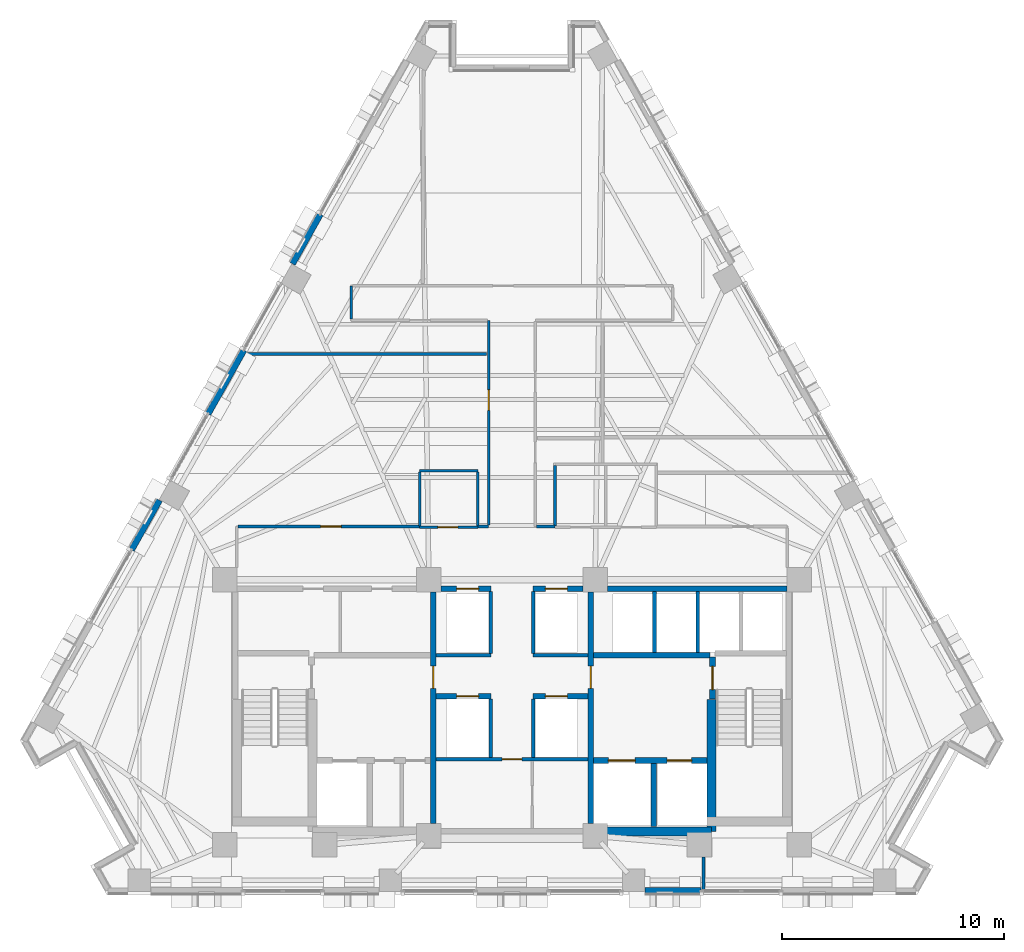
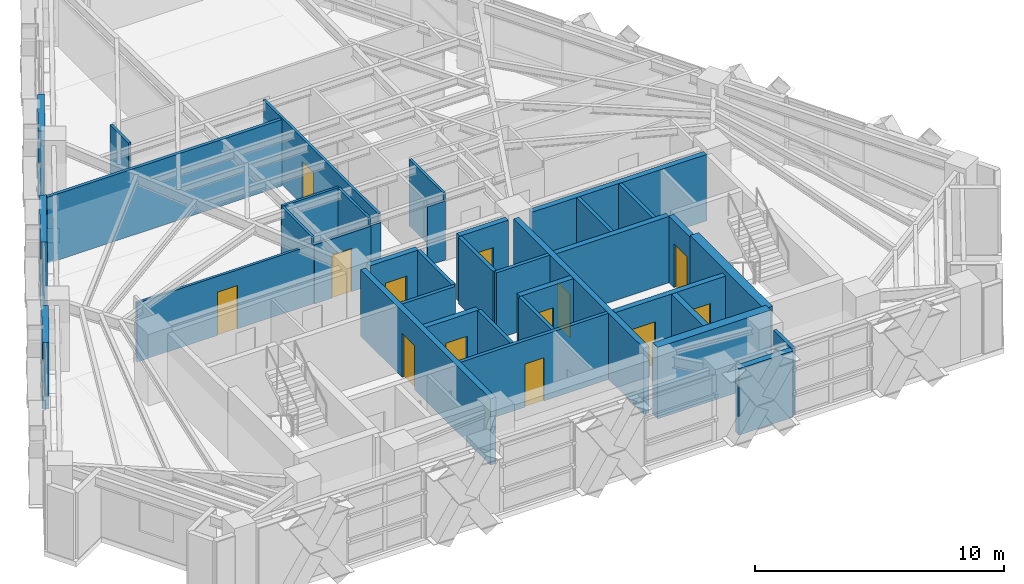
# One storey, part 8 of 14: 38 walls, 13 doors, 13 openings.
"""IFC4 building model written with IfcOpenShell, lengths in metres."""

from ifc_helpers import new_model, si_unit, direction, frame, frame_2d, origin, place, context, subcontext, project, spatial, rectangle, extrude, material, layer, layer_set, type_object, element, fill, save


model = new_model("IFC4")

# Units and contexts
model_context = context("Model", 3, precision=1e-05, world=origin(), true_north=direction((0.0, 1.0)))
body_context = subcontext(model_context, "Body", "Model", "MODEL_VIEW")
ifc_project = project(units=[si_unit("LENGTHUNIT", "METRE"), si_unit("AREAUNIT", "SQUARE_METRE"), si_unit("VOLUMEUNIT", "CUBIC_METRE"), si_unit("PLANEANGLEUNIT", "RADIAN"), si_unit("MASSUNIT", "GRAM", prefix="KILO")], contexts=[model_context])

# Site, building, storey
site_placement = place(None, origin())
site = spatial("IfcSite", under=ifc_project, at=site_placement, CompositionType="ELEMENT")
building_placement = place(site_placement, origin())
building = spatial("IfcBuilding", under=site, at=building_placement, Name="Quenlor Broadcast Tower", CompositionType="ELEMENT")
storey_placement = place(building_placement, frame((0.0, 0.0, 165.0)))
storey = spatial("IfcBuildingStorey", under=building, at=storey_placement, Name="L45", CompositionType="ELEMENT", Elevation=165.0)

# Walls
ifc_material_1 = material(Name="Acoustic Double Stud Gypsum Partition", Category="other")
ifc_layer_1 = layer(ifc_material_1, 0.14990234375)
ifc_layer_set_1 = layer_set([ifc_layer_1], Name="Broadcast Studio Acoustic Partition 150")
wall_type_1 = type_object("IfcWallType", Name="Broadcast Studio Acoustic Partition 150", PredefinedType="PARTITIONING", material=ifc_layer_set_1)
wall_1_placement = place(storey_placement, frame((-1.159912109375, 5.3798828125, 0.0), z_axis=(0.0, 0.0, 1.0), x_axis=(-1.0, 0.0, 0.0)))
element("IfcWall", 1, at=wall_1_placement, inside=storey, type_object=wall_type_1, Name="L45 Interior Wall PW-DV-02", PredefinedType="PARTITIONING", context=body_context, shape_type="SweptSolid", body=[
    extrude(rectangle(XDim=10.862548828125, YDim=0.14990234375, at=frame_2d((5.43115234375, 0.0))), origin(), (0.0, 0.0, 1.0), 3.25),
])
wall_2_placement = place(storey_placement, frame((8.634521484375, -18.830078125, 0.0), z_axis=(0.0, 0.0, 1.0), x_axis=(0.0, 1.0, 0.0)))
element("IfcWall", 2, at=wall_2_placement, inside=storey, type_object=wall_type_1, Name="L45 Interior Wall PW-DV-07", PredefinedType="PARTITIONING", context=body_context, shape_type="SweptSolid", body=[
    extrude(rectangle(XDim=1.528076171875, YDim=0.14990234375, at=frame_2d((0.76416015625, 0.0))), origin(), (0.0, 0.0, 1.0), 3.25),
])
ifc_material_2 = material(Name="Concrete C50/60", Category="concrete")
ifc_layer_2 = layer(ifc_material_2, 0.39990234375)
ifc_layer_set_2 = layer_set([ifc_layer_2], Name="Core Concrete C50/60 Shear Wall 400")
wall_type_2 = type_object("IfcWallType", Name="Core Concrete C50/60 Shear Wall 400", PredefinedType="SHEAR", material=ifc_layer_set_2)
wall_3_placement = place(storey_placement, frame((3.75, -16.14990234375, 0.0), z_axis=(0.0, 0.0, 1.0), x_axis=(1.0, 0.0, 0.0)))
element("IfcWall", 3, at=wall_3_placement, inside=storey, type_object=wall_type_2, Name="L45 Core Shear Wall WS-E1", PredefinedType="SHEAR", context=body_context, shape_type="SweptSolid", body=[
    extrude(rectangle(XDim=5.25, YDim=0.39990234375, at=frame_2d((2.625, 0.0))), origin(), (0.0, 0.0, 1.0), 3.5),
])
wall_4_placement = place(storey_placement, frame((9.0, -16.14990234375, 0.0), z_axis=(0.0, 0.0, 1.0), x_axis=(0.0, 1.0, 0.0)))
element("IfcWall", 4, at=wall_4_placement, inside=storey, type_object=wall_type_2, Name="L45 Core Shear Wall WI-E", PredefinedType="SHEAR", context=body_context, shape_type="SweptSolid", body=[
    extrude(rectangle(XDim=5.949951171875, YDim=0.39990234375, at=frame_2d((2.97509765625, 0.0))), origin(), (0.0, 0.0, 1.0), 3.5),
])

# Wall, opening, door
ifc_material_3 = material(Name="Concrete C40/50", Category="concrete")
ifc_layer_3 = layer(ifc_material_3, 0.25)
ifc_layer_set_3 = layer_set([ifc_layer_3], Name="Fire Rated Concrete C40/50 Core Wall 250")
wall_type_3 = type_object("IfcWallType", Name="Fire Rated Concrete C40/50 Core Wall 250", PredefinedType="PARTITIONING", material=ifc_layer_set_3)
wall_5_placement = place(storey_placement, frame((9.0400390625, -10.179931640625, 0.0), z_axis=(0.0, 0.0, 1.0), x_axis=(0.0, 1.0, 0.0)))
wall_5 = element("IfcWall", 5, at=wall_5_placement, inside=storey, type_object=wall_type_3, Name="L45 Interior Wall CW-ST2-DR", PredefinedType="PARTITIONING", context=body_context, shape_type="SweptSolid", body=[
    extrude(rectangle(XDim=1.89990234375, YDim=0.25, at=frame_2d((0.949951171875, 0.0))), origin(), (0.0, 0.0, 1.0), 3.25),
])
opening_1_placement = place(wall_5_placement, frame((0.419921875, 0.0, 0.0)))
opening_1 = element("IfcOpeningElement", 6, at=opening_1_placement, cuts=wall_5, Name="Opening FD-1", PredefinedType="OPENING", context=body_context, shape_type="SweptSolid", body=[
    extrude(rectangle(XDim=1.050048828125, YDim=2.14990234375, at=frame_2d((0.52490234375, 1.074951171875))), frame((0.0, 0.135009765625, 0.0), z_axis=(0.0, -1.0, 0.0), x_axis=(1.0, 0.0, 0.0)), (0.0, 0.0, 1.0), 0.27001953125),
])
ifc_material_4 = material(Name="Fire Rated Steel Door Leaf", Category="steel")
door_type_1 = type_object("IfcDoorType", Name="Fire Isolated Stair Door 1050x2150", OperationType="NOTDEFINED", PredefinedType="DOOR", material=ifc_material_4)
door_1_placement = place(opening_1_placement, origin())
door_1 = element("IfcDoor", 7, at=door_1_placement, inside=storey, type_object=door_type_1, Name="L45 Door DR-ST2", OperationType="SINGLE_SWING_RIGHT", OverallHeight=2.14990234375, OverallWidth=1.050048828125, PredefinedType="DOOR", context=body_context, shape_type="SweptSolid", body=[
    extrude(rectangle(XDim=1.050048828125, YDim=2.14990234375, at=frame_2d((0.52490234375, 1.074951171875))), frame((0.0, 0.02490234375, 0.0), z_axis=(0.0, -1.0, 0.0), x_axis=(1.0, 0.0, 0.0)), (0.0, 0.0, 1.0), 0.050048828125),
])
fill(opening_1, door_1)

# Wall, openings, doors
wall_6_placement = place(storey_placement, frame((3.679931640625, -12.949951171875, 0.0), z_axis=(0.0, 0.0, 1.0), x_axis=(1.0, 0.0, 0.0)))
wall_6 = element("IfcWall", 8, at=wall_6_placement, inside=storey, type_object=wall_type_3, Name="L45 Interior Wall CW-FFE-S", PredefinedType="PARTITIONING", context=body_context, shape_type="SweptSolid", body=[
    extrude(rectangle(XDim=5.1181640625, YDim=0.25, at=frame_2d((2.55908203125, 0.0))), origin(), (0.0, 0.0, 1.0), 3.25),
])
opening_2_placement = place(wall_6_placement, frame((3.320068359375, 0.0, 0.0)))
opening_2 = element("IfcOpeningElement", 9, at=opening_2_placement, cuts=wall_6, Name="Opening LD-FFL-2", PredefinedType="OPENING", context=body_context, shape_type="SweptSolid", body=[
    extrude(rectangle(XDim=1.10009765625, YDim=2.14990234375, at=frame_2d((0.550048828125, 1.074951171875))), frame((0.0, 0.135009765625, 0.0), z_axis=(0.0, -1.0, 0.0), x_axis=(1.0, 0.0, 0.0)), (0.0, 0.0, 1.0), 0.27001953125),
])
opening_3_placement = place(wall_6_placement, frame((0.669921875, 0.0, 0.0)))
opening_3 = element("IfcOpeningElement", 10, at=opening_3_placement, cuts=wall_6, Name="Opening LD-SVL-1", PredefinedType="OPENING", context=body_context, shape_type="SweptSolid", body=[
    extrude(rectangle(XDim=1.199951171875, YDim=2.14990234375, at=frame_2d((0.60009765625, 1.074951171875))), frame((0.0, 0.135009765625, 0.0), z_axis=(0.0, -1.0, 0.0), x_axis=(1.0, 0.0, 0.0)), (0.0, 0.0, 1.0), 0.27001953125),
])
ifc_material_5 = material(Name="Brushed Stainless Steel", Category="steel")
door_type_2 = type_object("IfcDoorType", Name="Emergency Lift Sliding Landing Door 1100x2150", OperationType="NOTDEFINED", PredefinedType="DOOR", material=ifc_material_5)
door_2_placement = place(opening_2_placement, origin())
door_2 = element("IfcDoor", 11, at=door_2_placement, inside=storey, type_object=door_type_2, Name="L45 Door LD-FFL-2", OperationType="SLIDING_TO_RIGHT", OverallHeight=2.14990234375, OverallWidth=1.10009765625, PredefinedType="DOOR", context=body_context, shape_type="SweptSolid", body=[
    extrude(rectangle(XDim=1.10009765625, YDim=2.14990234375, at=frame_2d((0.550048828125, 1.074951171875))), frame((0.0, 0.02490234375, 0.0), z_axis=(0.0, -1.0, 0.0), x_axis=(1.0, 0.0, 0.0)), (0.0, 0.0, 1.0), 0.050048828125),
])
fill(opening_2, door_2)
ifc_material_6 = material(Name="Brushed Stainless Steel", Category="steel")
door_type_3 = type_object("IfcDoorType", Name="Goods Lift Sliding Landing Door 1200x2150", OperationType="NOTDEFINED", PredefinedType="DOOR", material=ifc_material_6)
door_3_placement = place(opening_3_placement, origin())
door_3 = element("IfcDoor", 12, at=door_3_placement, inside=storey, type_object=door_type_3, Name="L45 Door LD-SVL-1", OperationType="SLIDING_TO_LEFT", OverallHeight=2.14990234375, OverallWidth=1.199951171875, PredefinedType="DOOR", context=body_context, shape_type="SweptSolid", body=[
    extrude(rectangle(XDim=1.199951171875, YDim=2.14990234375, at=frame_2d((0.60009765625, 1.074951171875))), frame((0.0, 0.02490234375, 0.0), z_axis=(0.0, -1.0, 0.0), x_axis=(1.0, 0.0, 0.0)), (0.0, 0.0, 1.0), 0.050048828125),
])
fill(opening_3, door_3)

# Walls
wall_7_placement = place(storey_placement, frame((6.39990234375, -15.919921875, 0.0), z_axis=(0.0, 0.0, 1.0), x_axis=(0.0, 1.0, 0.0)))
element("IfcWall", 13, at=wall_7_placement, inside=storey, type_object=wall_type_3, Name="L45 Interior Wall CW-SV1-E", PredefinedType="PARTITIONING", context=body_context, shape_type="SweptSolid", body=[
    extrude(rectangle(XDim=2.829833984375, YDim=0.25, at=frame_2d((1.4150390625, 0.0))), origin(), (0.0, 0.0, 1.0), 3.25),
])
wall_8_placement = place(storey_placement, frame((3.679931640625, -8.199951171875, 0.0), z_axis=(0.0, 0.0, 1.0), x_axis=(1.0, 0.0, 0.0)))
element("IfcWall", 14, at=wall_8_placement, inside=storey, type_object=wall_type_3, Name="L45 Interior Wall CW-FFE-N", PredefinedType="PARTITIONING", context=body_context, shape_type="SweptSolid", body=[
    extrude(rectangle(XDim=5.239990234375, YDim=0.25, at=frame_2d((2.6201171875, 0.0))), origin(), (0.0, 0.0, 1.0), 3.25),
])

# Wall, opening, door
wall_9_placement = place(storey_placement, frame((-3.550048828125, -15.798095703125, 0.0), z_axis=(0.0, 0.0, 1.0), x_axis=(0.0, 1.0, 0.0)))
wall_9 = element("IfcWall", 15, at=wall_9_placement, inside=storey, type_object=wall_type_3, Name="L45 Interior Wall CW-FFW-E", PredefinedType="PARTITIONING", context=body_context, shape_type="SweptSolid", body=[
    extrude(rectangle(XDim=10.446044921875, YDim=0.25, at=frame_2d((5.22314453125, 0.0))), origin(), (0.0, 0.0, 1.0), 3.25),
])
opening_4_placement = place(wall_9_placement, frame((6.097900390625, 0.0, 0.0)))
opening_4 = element("IfcOpeningElement", 16, at=opening_4_placement, cuts=wall_9, Name="Opening FD-2", PredefinedType="OPENING", context=body_context, shape_type="SweptSolid", body=[
    extrude(rectangle(XDim=1.0, YDim=2.14990234375, at=frame_2d((0.5, 1.074951171875))), frame((0.0, 0.135009765625, 0.0), z_axis=(0.0, -1.0, 0.0), x_axis=(1.0, 0.0, 0.0)), (0.0, 0.0, 1.0), 0.27001953125),
])
ifc_material_7 = material(Name="Fire Rated Glazed Steel Door", Category="steel")
door_type_4 = type_object("IfcDoorType", Name="Firefighting Lobby Smoke Door 1000x2150", OperationType="NOTDEFINED", PredefinedType="DOOR", material=ifc_material_7)
door_4_placement = place(opening_4_placement, origin())
door_4 = element("IfcDoor", 17, at=door_4_placement, inside=storey, type_object=door_type_4, Name="L45 Door DR-FFLW", OperationType="SINGLE_SWING_RIGHT", OverallHeight=2.14990234375, OverallWidth=1.0, PredefinedType="DOOR", context=body_context, shape_type="SweptSolid", body=[
    extrude(rectangle(XDim=1.0, YDim=2.14990234375, at=frame_2d((0.5, 1.074951171875))), frame((0.0, 0.02490234375, 0.0), z_axis=(0.0, -1.0, 0.0), x_axis=(1.0, 0.0, 0.0)), (0.0, 0.0, 1.0), 0.050048828125),
])
fill(opening_4, door_4)

wall_10_placement = place(storey_placement, frame((3.550048828125, -15.798095703125, 0.0), z_axis=(0.0, 0.0, 1.0), x_axis=(0.0, 1.0, 0.0)))
wall_10 = element("IfcWall", 18, at=wall_10_placement, inside=storey, type_object=wall_type_3, Name="L45 Interior Wall CW-FFE-W", PredefinedType="PARTITIONING", context=body_context, shape_type="SweptSolid", body=[
    extrude(rectangle(XDim=10.446044921875, YDim=0.25, at=frame_2d((5.22314453125, 0.0))), origin(), (0.0, 0.0, 1.0), 3.25),
])
opening_5_placement = place(wall_10_placement, frame((6.097900390625, 0.0, 0.0)))
opening_5 = element("IfcOpeningElement", 19, at=opening_5_placement, cuts=wall_10, Name="Opening FD-2", PredefinedType="OPENING", context=body_context, shape_type="SweptSolid", body=[
    extrude(rectangle(XDim=1.0, YDim=2.14990234375, at=frame_2d((0.5, 1.074951171875))), frame((0.0, 0.135009765625, 0.0), z_axis=(0.0, -1.0, 0.0), x_axis=(1.0, 0.0, 0.0)), (0.0, 0.0, 1.0), 0.27001953125),
])
door_5_placement = place(opening_5_placement, origin())
door_5 = element("IfcDoor", 20, at=door_5_placement, inside=storey, type_object=door_type_4, Name="L45 Door DR-FFLE", OperationType="SINGLE_SWING_LEFT", OverallHeight=2.14990234375, OverallWidth=1.0, PredefinedType="DOOR", context=body_context, shape_type="SweptSolid", body=[
    extrude(rectangle(XDim=1.0, YDim=2.14990234375, at=frame_2d((0.5, 1.074951171875))), frame((0.0, 0.02490234375, 0.0), z_axis=(0.0, -1.0, 0.0), x_axis=(1.0, 0.0, 0.0)), (0.0, 0.0, 1.0), 0.050048828125),
])
fill(opening_5, door_5)

# Wall
wall_11_placement = place(storey_placement, frame((4.302001953125, -5.199951171875, 0.0), z_axis=(0.0, 0.0, 1.0), x_axis=(1.0, 0.0, 0.0)))
element("IfcWall", 21, at=wall_11_placement, inside=storey, type_object=wall_type_3, Name="L45 Interior Wall CW-N-E", PredefinedType="PARTITIONING", context=body_context, shape_type="SweptSolid", body=[
    extrude(rectangle(XDim=8.095947265625, YDim=0.25, at=frame_2d((4.0478515625, 0.0))), origin(), (0.0, 0.0, 1.0), 3.25),
])

# Wall, opening, door
wall_12_placement = place(storey_placement, frame((-3.197998046875, -5.199951171875, 0.0), z_axis=(0.0, 0.0, 1.0), x_axis=(1.0, 0.0, 0.0)))
wall_12 = element("IfcWall", 22, at=wall_12_placement, inside=storey, type_object=wall_type_3, Name="L45 Interior Wall CW-N-M1", PredefinedType="PARTITIONING", context=body_context, shape_type="SweptSolid", body=[
    extrude(rectangle(XDim=2.248046875, YDim=0.25, at=frame_2d((1.1240234375, 0.0))), origin(), (0.0, 0.0, 1.0), 3.25),
])
opening_6_placement = place(wall_12_placement, frame((0.697998046875, 0.0, 0.0)))
opening_6 = element("IfcOpeningElement", 23, at=opening_6_placement, cuts=wall_12, Name="Opening LD-PL-M1", PredefinedType="OPENING", context=body_context, shape_type="SweptSolid", body=[
    extrude(rectangle(XDim=1.0, YDim=2.14990234375, at=frame_2d((0.5, 1.074951171875))), frame((0.0, 0.135009765625, 0.0), z_axis=(0.0, -1.0, 0.0), x_axis=(1.0, 0.0, 0.0)), (0.0, 0.0, 1.0), 0.27001953125),
])
ifc_material_8 = material(Name="Brushed Stainless Steel", Category="steel")
door_type_5 = type_object("IfcDoorType", Name="Passenger Lift Sliding Landing Door 1000x2150", OperationType="NOTDEFINED", PredefinedType="DOOR", material=ifc_material_8)
door_6_placement = place(opening_6_placement, origin())
door_6 = element("IfcDoor", 24, at=door_6_placement, inside=storey, type_object=door_type_5, Name="L45 Door LD-PL-M1", OperationType="SLIDING_TO_LEFT", OverallHeight=2.14990234375, OverallWidth=1.0, PredefinedType="DOOR", context=body_context, shape_type="SweptSolid", body=[
    extrude(rectangle(XDim=1.0, YDim=2.14990234375, at=frame_2d((0.5, 1.074951171875))), frame((0.0, 0.02490234375, 0.0), z_axis=(0.0, -1.0, 0.0), x_axis=(1.0, 0.0, 0.0)), (0.0, 0.0, 1.0), 0.050048828125),
])
fill(opening_6, door_6)

wall_13_placement = place(storey_placement, frame((0.949951171875, -5.199951171875, 0.0), z_axis=(0.0, 0.0, 1.0), x_axis=(1.0, 0.0, 0.0)))
wall_13 = element("IfcWall", 25, at=wall_13_placement, inside=storey, type_object=wall_type_3, Name="L45 Interior Wall CW-N-M2", PredefinedType="PARTITIONING", context=body_context, shape_type="SweptSolid", body=[
    extrude(rectangle(XDim=2.248046875, YDim=0.25, at=frame_2d((1.1240234375, 0.0))), origin(), (0.0, 0.0, 1.0), 3.25),
])
opening_7_placement = place(wall_13_placement, frame((0.550048828125, 0.0, 0.0)))
opening_7 = element("IfcOpeningElement", 26, at=opening_7_placement, cuts=wall_13, Name="Opening LD-PL-M2", PredefinedType="OPENING", context=body_context, shape_type="SweptSolid", body=[
    extrude(rectangle(XDim=1.0, YDim=2.14990234375, at=frame_2d((0.5, 1.074951171875))), frame((0.0, 0.135009765625, 0.0), z_axis=(0.0, -1.0, 0.0), x_axis=(1.0, 0.0, 0.0)), (0.0, 0.0, 1.0), 0.27001953125),
])
door_7_placement = place(opening_7_placement, origin())
door_7 = element("IfcDoor", 27, at=door_7_placement, inside=storey, type_object=door_type_5, Name="L45 Door LD-PL-M2", OperationType="SLIDING_TO_RIGHT", OverallHeight=2.14990234375, OverallWidth=1.0, PredefinedType="DOOR", context=body_context, shape_type="SweptSolid", body=[
    extrude(rectangle(XDim=1.0, YDim=2.14990234375, at=frame_2d((0.5, 1.074951171875))), frame((0.0, 0.02490234375, 0.0), z_axis=(0.0, -1.0, 0.0), x_axis=(1.0, 0.0, 0.0)), (0.0, 0.0, 1.0), 0.050048828125),
])
fill(opening_7, door_7)

wall_14_placement = place(storey_placement, frame((-3.419921875, -10.050048828125, 0.0), z_axis=(0.0, 0.0, 1.0), x_axis=(1.0, 0.0, 0.0)))
wall_14 = element("IfcWall", 28, at=wall_14_placement, inside=storey, type_object=wall_type_3, Name="L45 Interior Wall CW-MS-N1", PredefinedType="PARTITIONING", context=body_context, shape_type="SweptSolid", body=[
    extrude(rectangle(XDim=2.469970703125, YDim=0.25, at=frame_2d((1.23486328125, 0.0))), origin(), (0.0, 0.0, 1.0), 3.25),
])
opening_8_placement = place(wall_14_placement, frame((0.919921875, 0.0, 0.0)))
opening_8 = element("IfcOpeningElement", 29, at=opening_8_placement, cuts=wall_14, Name="Opening LD-PL-M3", PredefinedType="OPENING", context=body_context, shape_type="SweptSolid", body=[
    extrude(rectangle(XDim=1.0, YDim=2.14990234375, at=frame_2d((0.5, 1.074951171875))), frame((0.0, 0.135009765625, 0.0), z_axis=(0.0, -1.0, 0.0), x_axis=(1.0, 0.0, 0.0)), (0.0, 0.0, 1.0), 0.27001953125),
])
door_8_placement = place(opening_8_placement, origin())
door_8 = element("IfcDoor", 30, at=door_8_placement, inside=storey, type_object=door_type_5, Name="L45 Door LD-PL-M3", OperationType="SLIDING_TO_LEFT", OverallHeight=2.14990234375, OverallWidth=1.0, PredefinedType="DOOR", context=body_context, shape_type="SweptSolid", body=[
    extrude(rectangle(XDim=1.0, YDim=2.14990234375, at=frame_2d((0.5, 1.074951171875))), frame((0.0, 0.02490234375, 0.0), z_axis=(0.0, -1.0, 0.0), x_axis=(1.0, 0.0, 0.0)), (0.0, 0.0, 1.0), 0.050048828125),
])
fill(opening_8, door_8)

wall_15_placement = place(storey_placement, frame((0.949951171875, -10.050048828125, 0.0), z_axis=(0.0, 0.0, 1.0), x_axis=(1.0, 0.0, 0.0)))
wall_15 = element("IfcWall", 31, at=wall_15_placement, inside=storey, type_object=wall_type_3, Name="L45 Interior Wall CW-MS-N2", PredefinedType="PARTITIONING", context=body_context, shape_type="SweptSolid", body=[
    extrude(rectangle(XDim=2.469970703125, YDim=0.25, at=frame_2d((1.23486328125, 0.0))), origin(), (0.0, 0.0, 1.0), 3.25),
])
opening_9_placement = place(wall_15_placement, frame((0.550048828125, 0.0, 0.0)))
opening_9 = element("IfcOpeningElement", 32, at=opening_9_placement, cuts=wall_15, Name="Opening LD-PL-M4", PredefinedType="OPENING", context=body_context, shape_type="SweptSolid", body=[
    extrude(rectangle(XDim=1.0, YDim=2.14990234375, at=frame_2d((0.5, 1.074951171875))), frame((0.0, 0.135009765625, 0.0), z_axis=(0.0, -1.0, 0.0), x_axis=(1.0, 0.0, 0.0)), (0.0, 0.0, 1.0), 0.27001953125),
])
door_9_placement = place(opening_9_placement, origin())
door_9 = element("IfcDoor", 33, at=door_9_placement, inside=storey, type_object=door_type_5, Name="L45 Door LD-PL-M4", OperationType="SLIDING_TO_RIGHT", OverallHeight=2.14990234375, OverallWidth=1.0, PredefinedType="DOOR", context=body_context, shape_type="SweptSolid", body=[
    extrude(rectangle(XDim=1.0, YDim=2.14990234375, at=frame_2d((0.5, 1.074951171875))), frame((0.0, 0.02490234375, 0.0), z_axis=(0.0, -1.0, 0.0), x_axis=(1.0, 0.0, 0.0)), (0.0, 0.0, 1.0), 0.050048828125),
])
fill(opening_9, door_9)

# Walls
ifc_material_9 = material(Name="Gypsum Fireboard Partition", Category="other")
ifc_layer_4 = layer(ifc_material_9, 0.159912109375)
ifc_layer_set_4 = layer_set([ifc_layer_4], Name="Fire Rated Shaft and Corridor Partition 160")
wall_type_4 = type_object("IfcWallType", Name="Fire Rated Shaft and Corridor Partition 160", PredefinedType="PARTITIONING", material=ifc_layer_set_4)
for number, where, z_axis, x_axis, name in (
    (34, (6.425048828125, -8.072998046875, 0.0), (0.0, 0.0, 1.0), (0.0, 1.0, 0.0), "L45 Interior Wall CW-PLH-D1"),
    (35, (8.375, -8.072998046875, 0.0), (0.0, 0.0, 1.0), (0.0, 1.0, 0.0), "L45 Interior Wall CW-PLH-D2"),
):
    element("IfcWall", number, at=place(storey_placement, frame(where, z_axis=z_axis, x_axis=x_axis)), inside=storey, type_object=wall_type_4, Name=name, PredefinedType="PARTITIONING", context=body_context, shape_type="SweptSolid", body=[
        extrude(rectangle(XDim=2.73291015625, YDim=0.159912109375, at=frame_2d((1.366455078125, 0.0))), origin(), (0.0, 0.0, 1.0), 3.25),
    ])
for number, where, z_axis, x_axis, name in (
    (36, (-0.949951171875, -8.1201171875, 0.0), (0.0, 0.0, 1.0), (0.0, 1.0, 0.0), "L45 Interior Wall CW-CCRP-W"),
    (37, (0.949951171875, -8.1201171875, 0.0), (0.0, 0.0, 1.0), (0.0, 1.0, 0.0), "L45 Interior Wall CW-CCRP-E"),
):
    element("IfcWall", number, at=place(storey_placement, frame(where, z_axis=z_axis, x_axis=x_axis)), inside=storey, type_object=wall_type_4, Name=name, PredefinedType="PARTITIONING", context=body_context, shape_type="SweptSolid", body=[
        extrude(rectangle(XDim=2.780029296875, YDim=0.159912109375, at=frame_2d((1.39013671875, 0.0))), origin(), (0.0, 0.0, 1.0), 3.25),
    ])
for number, where, z_axis, x_axis, name in (
    (38, (-3.419921875, -8.199951171875, 0.0), (0.0, 0.0, 1.0), (1.0, 0.0, 0.0), "L45 Interior Wall CW-M-BACK1"),
    (39, (0.949951171875, -8.199951171875, 0.0), (0.0, 0.0, 1.0), (1.0, 0.0, 0.0), "L45 Interior Wall CW-M-BACK2"),
):
    element("IfcWall", number, at=place(storey_placement, frame(where, z_axis=z_axis, x_axis=x_axis)), inside=storey, type_object=wall_type_4, Name=name, PredefinedType="PARTITIONING", context=body_context, shape_type="SweptSolid", body=[
        extrude(rectangle(XDim=2.469970703125, YDim=0.159912109375, at=frame_2d((1.23486328125, 0.0))), origin(), (0.0, 0.0, 1.0), 3.25),
    ])

# Wall, opening, door
wall_16_placement = place(storey_placement, frame((-3.419921875, -12.89990234375, 0.0), z_axis=(0.0, 0.0, 1.0), x_axis=(1.0, 0.0, 0.0)))
wall_16 = element("IfcWall", 40, at=wall_16_placement, inside=storey, type_object=wall_type_4, Name="L45 Interior Wall CW-MS-B", PredefinedType="PARTITIONING", context=body_context, shape_type="SweptSolid", body=[
    extrude(rectangle(XDim=6.83984375, YDim=0.159912109375, at=frame_2d((3.419921875, 0.0))), origin(), (0.0, 0.0, 1.0), 3.25),
])
opening_10_placement = place(wall_16_placement, frame((2.97998046875, 0.0, 0.0)))
opening_10 = element("IfcOpeningElement", 41, at=opening_10_placement, cuts=wall_16, Name="Opening ID-4", PredefinedType="OPENING", context=body_context, shape_type="SweptSolid", body=[
    extrude(rectangle(XDim=0.8798828125, YDim=2.1201171875, at=frame_2d((0.43994140625, 1.06005859375))), frame((0.0, 0.08984375, 0.0), z_axis=(0.0, -1.0, 0.0), x_axis=(1.0, 0.0, 0.0)), (0.0, 0.0, 1.0), 0.179931640625),
])
ifc_material_10 = material(Name="Solid Core Timber Oak", Category="wood")
door_type_6 = type_object("IfcDoorType", Name="Service Closet Timber Door 880x2120", OperationType="NOTDEFINED", PredefinedType="DOOR", material=ifc_material_10)
door_10_placement = place(opening_10_placement, origin())
door_10 = element("IfcDoor", 42, at=door_10_placement, inside=storey, type_object=door_type_6, Name="L45 Door DR-CSV0", OperationType="SINGLE_SWING_LEFT", OverallHeight=2.1201171875, OverallWidth=0.8798828125, PredefinedType="DOOR", context=body_context, shape_type="SweptSolid", body=[
    extrude(rectangle(XDim=0.8798828125, YDim=2.1201171875, at=frame_2d((0.43994140625, 1.06005859375))), frame((0.0, 0.02490234375, 0.0), z_axis=(0.0, -1.0, 0.0), x_axis=(1.0, 0.0, 0.0)), (0.0, 0.0, 1.0), 0.050048828125),
])
fill(opening_10, door_10)

# Walls
for number, where, z_axis, x_axis, name in (
    (43, (-0.949951171875, -12.818115234375, 0.0), (0.0, 0.0, 1.0), (0.0, 1.0, 0.0), "L45 Interior Wall CW-MS-W"),
    (44, (0.949951171875, -12.818115234375, 0.0), (0.0, 0.0, 1.0), (0.0, 1.0, 0.0), "L45 Interior Wall CW-MS-E"),
):
    element("IfcWall", number, at=place(storey_placement, frame(where, z_axis=z_axis, x_axis=x_axis)), inside=storey, type_object=wall_type_4, Name=name, PredefinedType="PARTITIONING", context=body_context, shape_type="SweptSolid", body=[
        extrude(rectangle(XDim=2.63818359375, YDim=0.159912109375, at=frame_2d((1.319091796875, 0.0))), origin(), (0.0, 0.0, 1.0), 3.25),
    ])

# Wall, opening, door
ifc_material_11 = material(Name="Gypsum Plasterboard Partition", Category="other")
ifc_layer_5 = layer(ifc_material_11, 0.1201171875)
ifc_layer_set_5 = layer_set([ifc_layer_5], Name="Standard Office Partition 120")
wall_type_5 = type_object("IfcWallType", Name="Standard Office Partition 120", PredefinedType="PARTITIONING", material=ifc_layer_set_5)
wall_17_placement = place(storey_placement, frame((-4.159912109375, -2.43994140625, 0.0), z_axis=(0.0, 0.0, 1.0), x_axis=(1.0, 0.0, 0.0)))
wall_17 = element("IfcWall", 45, at=wall_17_placement, inside=storey, type_object=wall_type_5, Name="L45 Interior Wall PW-AWC-S", PredefinedType="PARTITIONING", context=body_context, shape_type="SweptSolid", body=[
    extrude(rectangle(XDim=2.619873046875, YDim=0.1201171875, at=frame_2d((1.31005859375, 0.0))), origin(), (0.0, 0.0, 1.0), 2.891357421875),
])
opening_11_placement = place(wall_17_placement, frame((0.820068359375, 0.0, 0.0)))
opening_11 = element("IfcOpeningElement", 46, at=opening_11_placement, cuts=wall_17, Name="Opening ID-3", PredefinedType="OPENING", context=body_context, shape_type="SweptSolid", body=[
    extrude(rectangle(XDim=0.89990234375, YDim=2.1201171875, at=frame_2d((0.449951171875, 1.06005859375))), frame((0.0, 0.070068359375, 0.0), z_axis=(0.0, -1.0, 0.0), x_axis=(1.0, 0.0, 0.0)), (0.0, 0.0, 1.0), 0.14013671875),
])
ifc_material_12 = material(Name="Moisture Resistant Timber Oak", Category="wood")
door_type_7 = type_object("IfcDoorType", Name="Washroom Privacy Door 900x2120", OperationType="NOTDEFINED", PredefinedType="DOOR", material=ifc_material_12)
door_11_placement = place(opening_11_placement, origin())
door_11 = element("IfcDoor", 47, at=door_11_placement, inside=storey, type_object=door_type_7, Name="L45 Door DR-AWC", OperationType="SINGLE_SWING_LEFT", OverallHeight=2.1201171875, OverallWidth=0.89990234375, PredefinedType="DOOR", context=body_context, shape_type="SweptSolid", body=[
    extrude(rectangle(XDim=0.89990234375, YDim=2.1201171875, at=frame_2d((0.449951171875, 1.06005859375))), frame((0.0, 0.02490234375, 0.0), z_axis=(0.0, -1.0, 0.0), x_axis=(1.0, 0.0, 0.0)), (0.0, 0.0, 1.0), 0.050048828125),
])
fill(opening_11, door_11)

# Walls
wall_18_placement = place(storey_placement, frame((-4.159912109375, 0.110107421875, 0.0), z_axis=(0.0, 0.0, 1.0), x_axis=(1.0, 0.0, 0.0)))
element("IfcWall", 48, at=wall_18_placement, inside=storey, type_object=wall_type_5, Name="L45 Interior Wall PW-AWC-N", PredefinedType="PARTITIONING", context=body_context, shape_type="SweptSolid", body=[
    extrude(rectangle(XDim=2.619873046875, YDim=0.1201171875, at=frame_2d((1.31005859375, 0.0))), origin(), (0.0, 0.0, 1.0), 3.25),
])
for number, where, z_axis, x_axis, name in (
    (49, (-4.159912109375, -2.3779296875, 0.0), (0.0, 0.0, 1.0), (0.0, 1.0, 0.0), "L45 Interior Wall PW-AWC-W"),
    (50, (-1.5400390625, -2.3779296875, 0.0), (0.0, 0.0, 1.0), (0.0, 1.0, 0.0), "L45 Interior Wall PW-AWC-E"),
):
    element("IfcWall", number, at=place(storey_placement, frame(where, z_axis=z_axis, x_axis=x_axis)), inside=storey, type_object=wall_type_5, Name=name, PredefinedType="PARTITIONING", context=body_context, shape_type="SweptSolid", body=[
        extrude(rectangle(XDim=2.426025390625, YDim=0.1201171875, at=frame_2d((1.212890625, 0.0))), origin(), (0.0, 0.0, 1.0), 3.25),
    ])
wall_19_placement = place(storey_placement, frame((1.93994140625, -2.3779296875, 0.0), z_axis=(0.0, 0.0, 1.0), x_axis=(0.0, 1.0, 0.0)))
element("IfcWall", 51, at=wall_19_placement, inside=storey, type_object=wall_type_5, Name="L45 Interior Wall PW-WC-W", PredefinedType="PARTITIONING", context=body_context, shape_type="SweptSolid", body=[
    extrude(rectangle(XDim=2.725830078125, YDim=0.1201171875, at=frame_2d((1.36279296875, 0.0))), origin(), (0.0, 0.0, 1.0), 3.25),
])

# Wall, opening, door
wall_20_placement = place(storey_placement, frame((-12.347900390625, -2.39990234375, 0.0), z_axis=(0.0, 0.0, 1.0), x_axis=(1.0, 0.0, 0.0)))
wall_20 = element("IfcWall", 52, at=wall_20_placement, inside=storey, type_object=wall_type_5, Name="L45 Interior Wall PW-CR-02", PredefinedType="PARTITIONING", context=body_context, shape_type="SweptSolid", body=[
    extrude(rectangle(XDim=8.185791015625, YDim=0.1201171875, at=frame_2d((4.0927734375, 0.0))), origin(), (0.0, 0.0, 1.0), 2.891357421875),
])
opening_12_placement = place(wall_20_placement, frame((3.721923828125, 0.0, 0.0)))
opening_12 = element("IfcOpeningElement", 53, at=opening_12_placement, cuts=wall_20, Name="Opening ID-1", PredefinedType="OPENING", context=body_context, shape_type="SweptSolid", body=[
    extrude(rectangle(XDim=0.919921875, YDim=2.1201171875, at=frame_2d((0.4599609375, 1.06005859375))), frame((0.0, 0.070068359375, 0.0), z_axis=(0.0, -1.0, 0.0), x_axis=(1.0, 0.0, 0.0)), (0.0, 0.0, 1.0), 0.14013671875),
])
ifc_material_13 = material(Name="Solid Core Timber Oak", Category="wood")
door_type_8 = type_object("IfcDoorType", Name="Single Leaf Timber Office Door 920x2120", OperationType="NOTDEFINED", PredefinedType="DOOR", material=ifc_material_13)
door_12_placement = place(opening_12_placement, origin())
door_12 = element("IfcDoor", 54, at=door_12_placement, inside=storey, type_object=door_type_8, Name="L45 Door DR-RM08", OperationType="SINGLE_SWING_LEFT", OverallHeight=2.1201171875, OverallWidth=0.919921875, PredefinedType="DOOR", context=body_context, shape_type="SweptSolid", body=[
    extrude(rectangle(XDim=0.919921875, YDim=2.1201171875, at=frame_2d((0.4599609375, 1.06005859375))), frame((0.0, 0.02490234375, 0.0), z_axis=(0.0, -1.0, 0.0), x_axis=(1.0, 0.0, 0.0)), (0.0, 0.0, 1.0), 0.050048828125),
])
fill(opening_12, door_12)

# Wall
wall_21_placement = place(storey_placement, frame((-1.5380859375, -2.39990234375, 0.0), z_axis=(0.0, 0.0, 1.0), x_axis=(1.0, 0.0, 0.0)))
element("IfcWall", 55, at=wall_21_placement, inside=storey, type_object=wall_type_5, Name="L45 Interior Wall PW-CR-02S2", PredefinedType="PARTITIONING", context=body_context, shape_type="SweptSolid", body=[
    extrude(rectangle(XDim=0.488037109375, YDim=0.1201171875, at=frame_2d((0.244140625, 0.0))), origin(), (0.0, 0.0, 1.0), 2.891357421875),
])

# Wall, opening, door
wall_22_placement = place(storey_placement, frame((-1.050048828125, -2.337890625, 0.0), z_axis=(0.0, 0.0, 1.0), x_axis=(0.0, 1.0, 0.0)))
wall_22 = element("IfcWall", 56, at=wall_22_placement, inside=storey, type_object=wall_type_5, Name="L45 Interior Wall PW-CR-03", PredefinedType="PARTITIONING", context=body_context, shape_type="SweptSolid", body=[
    extrude(rectangle(XDim=9.23779296875, YDim=0.1201171875, at=frame_2d((4.618896484375, 0.0))), origin(), (0.0, 0.0, 1.0), 3.25),
])
opening_13_placement = place(wall_22_placement, frame((5.177978515625, 0.0, 0.0)))
opening_13 = element("IfcOpeningElement", 57, at=opening_13_placement, cuts=wall_22, Name="Opening ID-1", PredefinedType="OPENING", context=body_context, shape_type="SweptSolid", body=[
    extrude(rectangle(XDim=0.919921875, YDim=2.1201171875, at=frame_2d((0.4599609375, 1.06005859375))), frame((0.0, 0.070068359375, 0.0), z_axis=(0.0, -1.0, 0.0), x_axis=(1.0, 0.0, 0.0)), (0.0, 0.0, 1.0), 0.14013671875),
])
door_13_placement = place(opening_13_placement, origin())
door_13 = element("IfcDoor", 58, at=door_13_placement, inside=storey, type_object=door_type_8, Name="L45 Door DR-RM05", OperationType="SINGLE_SWING_RIGHT", OverallHeight=2.1201171875, OverallWidth=0.919921875, PredefinedType="DOOR", context=body_context, shape_type="SweptSolid", body=[
    extrude(rectangle(XDim=0.919921875, YDim=2.1201171875, at=frame_2d((0.4599609375, 1.06005859375))), frame((0.0, 0.02490234375, 0.0), z_axis=(0.0, -1.0, 0.0), x_axis=(1.0, 0.0, 0.0)), (0.0, 0.0, 1.0), 0.050048828125),
])
fill(opening_13, door_13)

# Walls
wall_23_placement = place(storey_placement, frame((-7.25, 6.9619140625, 0.0), z_axis=(0.0, 0.0, 1.0), x_axis=(0.0, 1.0, 0.0)))
element("IfcWall", 59, at=wall_23_placement, inside=storey, type_object=wall_type_5, Name="L45 Interior Wall PW-CR-05", PredefinedType="PARTITIONING", context=body_context, shape_type="SweptSolid", body=[
    extrude(rectangle(XDim=1.488037109375, YDim=0.1201171875, at=frame_2d((0.744140625, 0.0))), origin(), (0.0, 0.0, 1.0), 3.25),
])
wall_24_placement = place(storey_placement, frame((1.112060546875, -2.39990234375, 0.0), z_axis=(0.0, 0.0, 1.0), x_axis=(1.0, 0.0, 0.0)))
element("IfcWall", 60, at=wall_24_placement, inside=storey, type_object=wall_type_5, Name="L45 Interior Wall PW-CR-10", PredefinedType="PARTITIONING", context=body_context, shape_type="SweptSolid", body=[
    extrude(rectangle(XDim=0.825927734375, YDim=0.1201171875, at=frame_2d((0.4130859375, 0.0))), origin(), (0.0, 0.0, 1.0), 2.891357421875),
])
ifc_material_14 = material(Name="Precast concrete C40/50", Category="concrete")
ifc_layer_6 = layer(ifc_material_14, 0.280029296875)
ifc_layer_set_6 = layer_set([ifc_layer_6], Name="Terracotta Precast Concrete C40/50 Facade Wall 280")
wall_type_6 = type_object("IfcWallType", Name="Terracotta Precast Concrete C40/50 Facade Wall 280", PredefinedType="STANDARD", material=ifc_layer_set_6)
wall_25_placement = place(storey_placement, frame((8.514892578125, -18.824951171875, 0.0), z_axis=(0.0, 0.0, 1.0), x_axis=(-1.0, 0.0, 0.0)))
element("IfcWall", 61, at=wall_25_placement, inside=storey, type_object=wall_type_6, Name="L45 Exterior Wall L45-SA-SP2", PredefinedType="STANDARD", context=body_context, shape_type="SweptSolid", body=[
    extrude(rectangle(XDim=2.5087890625, YDim=0.280029296875, at=frame_2d((1.25439453125, 0.0))), origin(), (0.0, 0.0, 1.0), 3.25),
])
for number, where, z_axis, x_axis, name in (
    (62, (-17.154296875, -3.453369140625, 0.0), (0.0, 0.0, 1.0), (0.490229640206, 0.871593311048, 0.0), "L45 Exterior Wall L45-NWA-SP2"),
    (63, (-9.899658203125, 9.44384765625, 0.0), (0.0, 0.0, 1.0), (0.490301864627, 0.871552684319, 0.0), "L45 Exterior Wall L45-NWC-SP1"),
):
    element("IfcWall", number, at=place(storey_placement, frame(where, z_axis=z_axis, x_axis=x_axis)), inside=storey, type_object=wall_type_6, Name=name, PredefinedType="STANDARD", context=body_context, shape_type="SweptSolid", body=[
        extrude(rectangle(XDim=2.56787109375, YDim=0.280029296875, at=frame_2d((1.283935546875, 0.0))), origin(), (0.0, 0.0, 1.0), 3.25),
    ])
wall_26_placement = place(storey_placement, frame((-13.706298828125, 2.676513671875, 0.0), z_axis=(0.0, 0.0, 1.0), x_axis=(0.490285834707, 0.871561701938, 0.0)))
element("IfcWall", 64, at=wall_26_placement, inside=storey, type_object=wall_type_6, Name="L45 Exterior Wall L45-NW-SP1", PredefinedType="STANDARD", context=body_context, shape_type="SweptSolid", body=[
    extrude(rectangle(XDim=3.299072265625, YDim=0.280029296875, at=frame_2d((1.6494140625, 0.0))), origin(), (0.0, 0.0, 1.0), 3.25),
])

save(model, "model.ifc")
